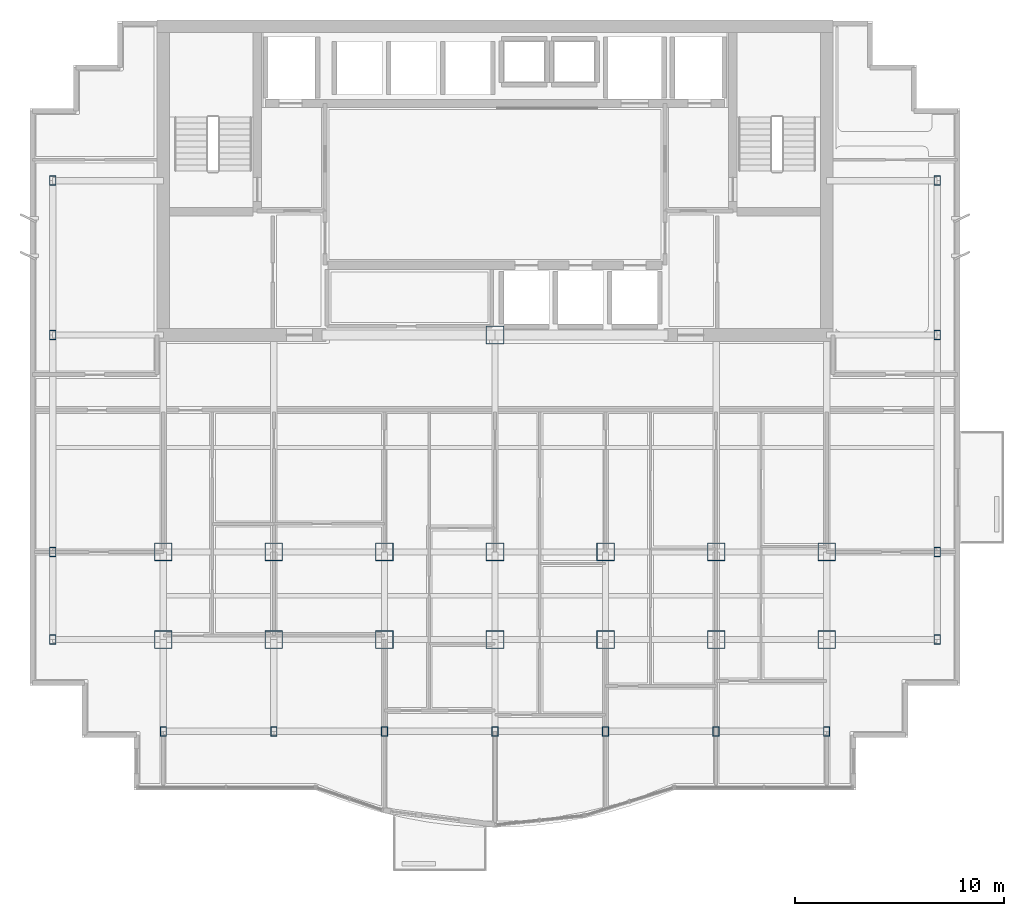
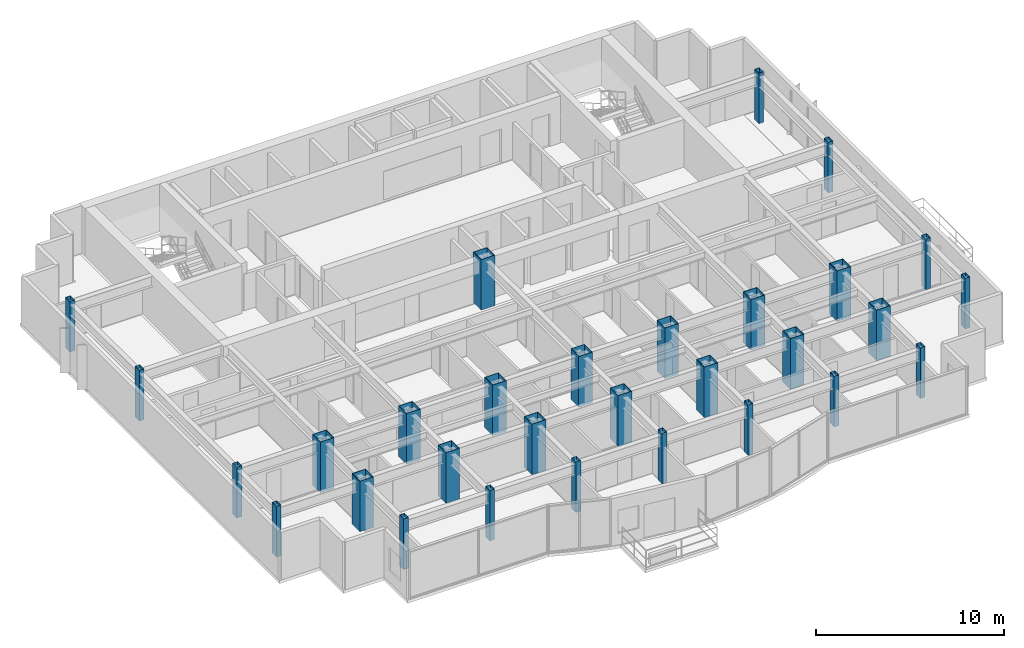
# One storey, part 1 of 11: 30 columns.
"""IFC4 building model written with IfcOpenShell, lengths in metres."""

from ifc_helpers import new_model, si_unit, direction, frame, origin, origin_2d, place, context, subcontext, project, spatial, hollow_rectangle, extrude, material, material_profile, profile_set, type_object, element, save


model = new_model("IFC4")

# Units and contexts
model_context = context("Model", 3, precision=1e-05, world=origin(), true_north=direction((0.0, 1.0)))
body_context = subcontext(model_context, "Body", "Model", "MODEL_VIEW")
ifc_project = project(units=[si_unit("LENGTHUNIT", "METRE"), si_unit("AREAUNIT", "SQUARE_METRE"), si_unit("VOLUMEUNIT", "CUBIC_METRE"), si_unit("PLANEANGLEUNIT", "RADIAN"), si_unit("MASSUNIT", "GRAM", prefix="KILO")], contexts=[model_context])

# Site, building, storey
site_placement = place(None, origin())
site = spatial("IfcSite", under=ifc_project, at=site_placement, CompositionType="ELEMENT")
building_placement = place(site_placement, origin())
building = spatial("IfcBuilding", under=site, at=building_placement, Name="Qianlan Lanfeng Residences", CompositionType="ELEMENT")
storey_placement = place(building_placement, frame((0.0, 0.0, 168.89990234375)))
storey = spatial("IfcBuildingStorey", under=building, at=storey_placement, Name="L46", CompositionType="ELEMENT", Elevation=168.89990234375)

# Columns
ifc_material = material(Name="Steel SN490B", Category="steel")
ifc_material_profile_1 = material_profile(ifc_material, hollow_rectangle(XDim=0.85009765625, YDim=0.85009765625, WallThickness=0.028076171875, at=origin_2d()), Name="BOX 850x850x28")
ifc_profile_set_1 = profile_set([ifc_material_profile_1], Name="Steel SN490B")
column_type_1 = type_object("IfcColumnType", Name="C-B900", PredefinedType="COLUMN", material=ifc_profile_set_1)
for number, where, z_axis, x_axis, name in (
    (1, (26.5, 25.199951171875, 0.0), (0.0, 0.0, 1.0), (1.0, 0.0, 0.0), "L46 Structural Column CP_26.5_25.2"),
    (2, (10.60009765625, 14.800048828125, 0.0), (0.0, 0.0, 1.0), (1.0, 0.0, 0.0), "L46 Structural Column M_10.60_14.80"),
    (3, (10.60009765625, 10.60009765625, 0.0), (0.0, 0.0, 1.0), (1.0, 0.0, 0.0), "L46 Structural Column G_10.60_10.60"),
    (4, (15.89990234375, 14.800048828125, 0.0), (0.0, 0.0, 1.0), (1.0, 0.0, 0.0), "L46 Structural Column M_15.90_14.80"),
    (5, (15.89990234375, 10.60009765625, 0.0), (0.0, 0.0, 1.0), (1.0, 0.0, 0.0), "L46 Structural Column G_15.90_10.60"),
    (6, (21.199951171875, 14.800048828125, 0.0), (0.0, 0.0, 1.0), (1.0, 0.0, 0.0), "L46 Structural Column M_21.20_14.80"),
    (7, (21.199951171875, 10.60009765625, 0.0), (0.0, 0.0, 1.0), (1.0, 0.0, 0.0), "L46 Structural Column G_21.20_10.60"),
    (8, (26.5, 14.800048828125, 0.0), (0.0, 0.0, 1.0), (1.0, 0.0, 0.0), "L46 Structural Column M_26.50_14.80"),
    (9, (26.5, 10.60009765625, 0.0), (0.0, 0.0, 1.0), (1.0, 0.0, 0.0), "L46 Structural Column G_26.50_10.60"),
    (10, (31.800048828125, 14.800048828125, 0.0), (0.0, 0.0, 1.0), (1.0, 0.0, 0.0), "L46 Structural Column M_31.80_14.80"),
    (11, (31.800048828125, 10.60009765625, 0.0), (0.0, 0.0, 1.0), (1.0, 0.0, 0.0), "L46 Structural Column G_31.80_10.60"),
    (12, (37.10009765625, 14.800048828125, 0.0), (0.0, 0.0, 1.0), (1.0, 0.0, 0.0), "L46 Structural Column M_37.10_14.80"),
    (13, (37.10009765625, 10.60009765625, 0.0), (0.0, 0.0, 1.0), (1.0, 0.0, 0.0), "L46 Structural Column G_37.10_10.60"),
    (14, (42.39990234375, 14.800048828125, 0.0), (0.0, 0.0, 1.0), (1.0, 0.0, 0.0), "L46 Structural Column M_42.40_14.80"),
    (15, (42.39990234375, 10.60009765625, 0.0), (0.0, 0.0, 1.0), (1.0, 0.0, 0.0), "L46 Structural Column G_42.40_10.60"),
):
    element("IfcColumn", number, at=place(storey_placement, frame(where, z_axis=z_axis, x_axis=x_axis)), inside=storey, type_object=column_type_1, Name=name, PredefinedType="COLUMN", context=body_context, shape_type="SweptSolid", body=[
        extrude(hollow_rectangle(XDim=0.85009765625, YDim=0.85009765625, WallThickness=0.028076171875, at=origin_2d()), origin(), (0.0, 0.0, 1.0), 3.300048828125),
    ])
ifc_material_profile_2 = material_profile(ifc_material, hollow_rectangle(XDim=0.300048828125, YDim=0.449951171875, WallThickness=0.01611328125, at=origin_2d()), Name="RHS 450x300x16")
ifc_profile_set_2 = profile_set([ifc_material_profile_2], Name="Steel SN490B")
column_type_2 = type_object("IfcColumnType", Name="CE-B950", PredefinedType="COLUMN", material=ifc_profile_set_2)
for number, where, z_axis, x_axis, name in (
    (16, (10.60009765625, 6.199951171875, 0.0), (0.0, 0.0, 1.0), (1.0, 0.0, 0.0), "L46 Structural Column S_10.60_6.20"),
    (17, (15.89990234375, 6.199951171875, 0.0), (0.0, 0.0, 1.0), (1.0, 0.0, 0.0), "L46 Structural Column S_15.90_6.20"),
    (18, (21.199951171875, 6.199951171875, 0.0), (0.0, 0.0, 1.0), (1.0, 0.0, 0.0), "L46 Structural Column S_21.20_6.20"),
    (19, (26.5, 6.199951171875, 0.0), (0.0, 0.0, 1.0), (1.0, 0.0, 0.0), "L46 Structural Column S_26.50_6.20"),
    (20, (31.800048828125, 6.199951171875, 0.0), (0.0, 0.0, 1.0), (1.0, 0.0, 0.0), "L46 Structural Column S_31.80_6.20"),
    (21, (37.10009765625, 6.199951171875, 0.0), (0.0, 0.0, 1.0), (1.0, 0.0, 0.0), "L46 Structural Column S_37.10_6.20"),
    (22, (42.39990234375, 6.199951171875, 0.0), (0.0, 0.0, 1.0), (1.0, 0.0, 0.0), "L46 Structural Column S_42.40_6.20"),
    (23, (5.300048828125, 10.60009765625, 0.0), (0.0, 0.0, 1.0), (1.0, 0.0, 0.0), "L46 Structural Column W_5.30_10.60"),
    (24, (5.300048828125, 14.800048828125, 0.0), (0.0, 0.0, 1.0), (1.0, 0.0, 0.0), "L46 Structural Column W_5.30_14.80"),
    (25, (5.300048828125, 25.199951171875, 0.0), (0.0, 0.0, 1.0), (1.0, 0.0, 0.0), "L46 Structural Column W_5.30_25.20"),
    (26, (5.300048828125, 32.60009765625, 0.0), (0.0, 0.0, 1.0), (1.0, 0.0, 0.0), "L46 Structural Column W_5.30_32.60"),
    (27, (47.699951171875, 10.60009765625, 0.0), (0.0, 0.0, 1.0), (1.0, 0.0, 0.0), "L46 Structural Column W_47.70_10.60"),
    (28, (47.699951171875, 14.800048828125, 0.0), (0.0, 0.0, 1.0), (1.0, 0.0, 0.0), "L46 Structural Column W_47.70_14.80"),
    (29, (47.699951171875, 25.199951171875, 0.0), (0.0, 0.0, 1.0), (1.0, 0.0, 0.0), "L46 Structural Column W_47.70_25.20"),
    (30, (47.699951171875, 32.60009765625, 0.0), (0.0, 0.0, 1.0), (1.0, 0.0, 0.0), "L46 Structural Column W_47.70_32.60"),
):
    element("IfcColumn", number, at=place(storey_placement, frame(where, z_axis=z_axis, x_axis=x_axis)), inside=storey, type_object=column_type_2, Name=name, PredefinedType="COLUMN", context=body_context, shape_type="SweptSolid", body=[
        extrude(hollow_rectangle(XDim=0.300048828125, YDim=0.449951171875, WallThickness=0.01611328125, at=origin_2d()), origin(), (0.0, 0.0, 1.0), 3.300048828125),
    ])

save(model, "model.ifc")
